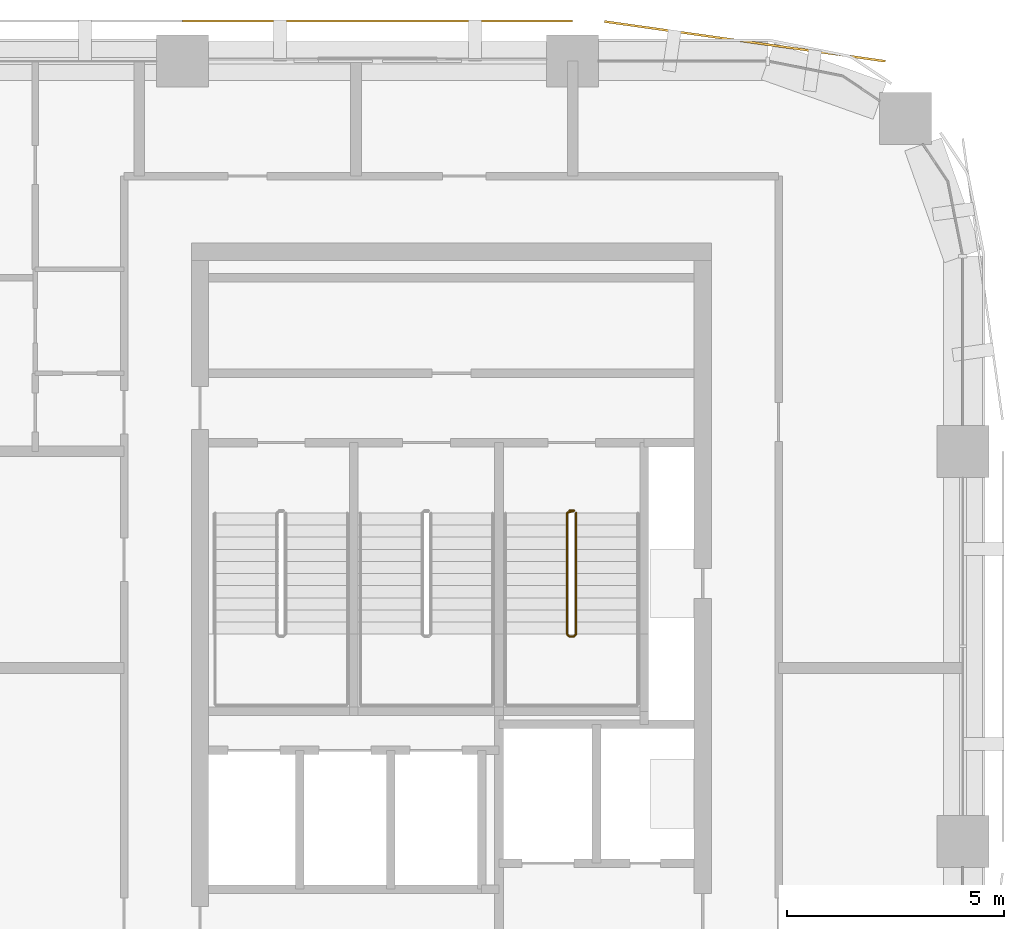
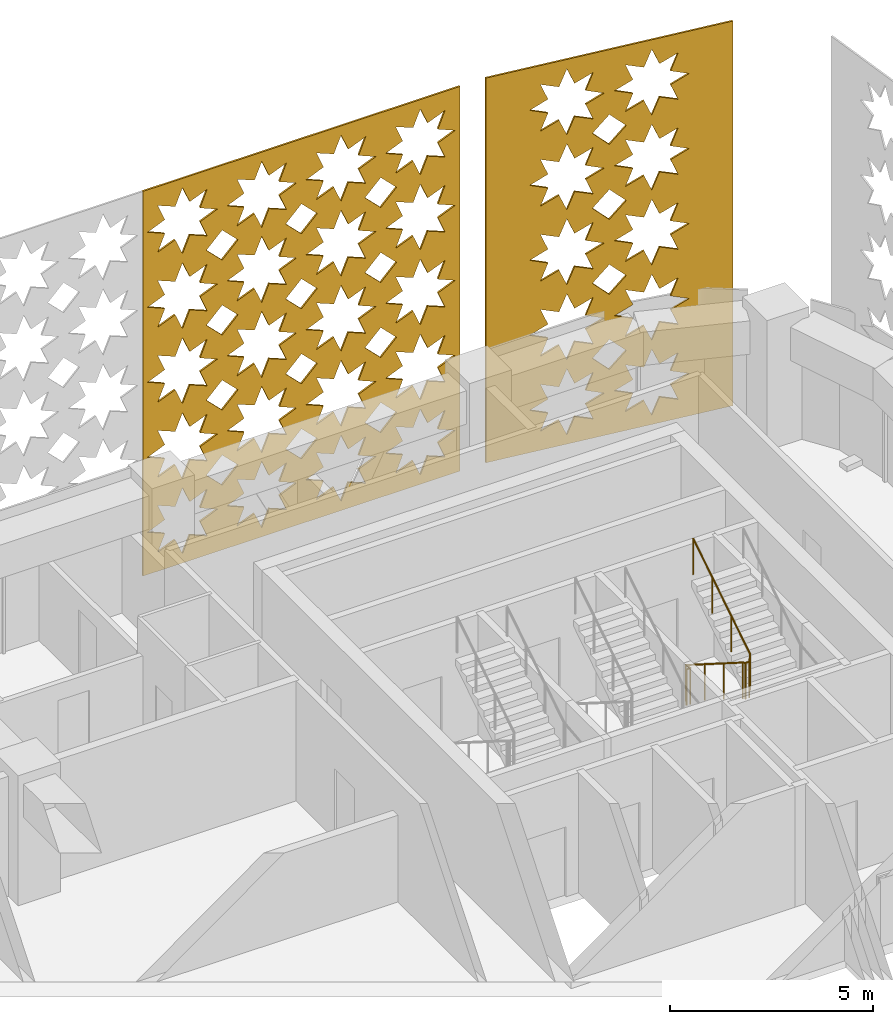
# One storey, part 14 of 15: 2 coverings, 1 railing.
"""IFC4 building model written with IfcOpenShell, lengths in metres."""

from ifc_helpers import new_model, si_unit, direction, frame, origin, origin_2d, place, context, subcontext, project, spatial, polyline, circle, outline, extrude, material, layer, layer_set, type_object, element, save


model = new_model("IFC4")

# Units and contexts
model_context = context("Model", 3, precision=1e-05, world=origin(), true_north=direction((0.0, 1.0)))
body_context = subcontext(model_context, "Body", "Model", "MODEL_VIEW")
ifc_project = project(units=[si_unit("LENGTHUNIT", "METRE"), si_unit("AREAUNIT", "SQUARE_METRE"), si_unit("VOLUMEUNIT", "CUBIC_METRE"), si_unit("PLANEANGLEUNIT", "RADIAN"), si_unit("MASSUNIT", "GRAM", prefix="KILO")], contexts=[model_context])

# Site, building, storey
site_placement = place(None, origin())
site = spatial("IfcSite", under=ifc_project, at=site_placement, CompositionType="ELEMENT")
building_placement = place(site_placement, origin())
building = spatial("IfcBuilding", under=site, at=building_placement, Name="Tessera Arch", CompositionType="ELEMENT")
storey_placement = place(building_placement, frame((0.0, 0.0, 257.89990234375)))
storey = spatial("IfcBuildingStorey", under=building, at=storey_placement, Name="L62", CompositionType="ELEMENT", Elevation=257.89990234375)

# Coverings
ifc_material_1 = material(Name="Anodised aluminium pale metal", Category="aluminium")
ifc_layer_1 = layer(ifc_material_1, 0.050048828125)
ifc_layer_set_1 = layer_set([ifc_layer_1], Name="Pierced screen panel corner bay")
covering_type_1 = type_object("IfcCoveringType", Name="Pierced screen panel corner bay", PredefinedType="CLADDING", material=ifc_layer_set_1)
covering_1_placement = place(storey_placement, frame((52.2080078125, 53.97412109375, 11.7001953125), z_axis=(-0.140074186016, -0.990141011378, 0.0), x_axis=(-0.990141011378, 0.140074186016, 0.0)))
element("IfcCovering", 1, at=covering_1_placement, inside=storey, type_object=covering_type_1, Name="SCREEN pierced panel N54.18/0 L62-L64", PredefinedType="CLADDING", context=body_context, shape_type="SweptSolid", body=[
    extrude(outline(polyline([(0.0, 0.0), (6.546475218445481, 0.0), (6.546475218445481, 11.5400390625), (0.0, 11.5400390625), (0.0, 0.0)]), holes=[polyline([(3.137858409575383, 10.27001953125), (2.6469229422635148, 10.06298828125), (2.8479028079497066, 9.570068359375), (2.354999273675671, 9.77099609375), (2.1478734734576217, 9.280029296875), (1.941990539265672, 9.77099609375), (1.447878336764857, 9.570068359375), (1.6490657382970841, 10.06298828125), (1.15788853733986, 10.27001953125), (1.6490657382970841, 10.47705078125), (1.447878336764857, 10.97021484375), (1.941990539265672, 10.76904296875), (2.1478734734576217, 11.260009765625), (2.354999273675671, 10.76904296875), (2.8479028079497066, 10.97021484375), (2.6469229422635148, 10.47705078125), (3.137858409575383, 10.27001953125)]), polyline([(3.137858409575383, 8.02001953125), (2.6469229422635148, 7.81298828125), (2.8479028079497066, 7.320068359375), (2.354999273675671, 7.52099609375), (2.1478734734576217, 7.030029296875), (1.941990539265672, 7.52099609375), (1.447878336764857, 7.320068359375), (1.6490657382970841, 7.81298828125), (1.15788853733986, 8.02001953125), (1.6490657382970841, 8.22705078125), (1.447878336764857, 8.72021484375), (1.941990539265672, 8.51904296875), (2.1478734734576217, 9.010009765625), (2.354999273675671, 8.51904296875), (2.8479028079497066, 8.72021484375), (2.6469229422635148, 8.22705078125), (3.137858409575383, 8.02001953125)]), polyline([(3.137858409575383, 5.77001953125), (2.6469229422635148, 5.56298828125), (2.8479028079497066, 5.070068359375), (2.354999273675671, 5.27099609375), (2.1478734734576217, 4.780029296875), (1.941990539265672, 5.27099609375), (1.447878336764857, 5.070068359375), (1.6490657382970841, 5.56298828125), (1.15788853733986, 5.77001953125), (1.6490657382970841, 5.97705078125), (1.447878336764857, 6.47021484375), (1.941990539265672, 6.26904296875), (2.1478734734576217, 6.760009765625), (2.354999273675671, 6.26904296875), (2.8479028079497066, 6.47021484375), (2.6469229422635148, 5.97705078125), (3.137858409575383, 5.77001953125)]), polyline([(3.137858409575383, 3.52001953125), (2.6469229422635148, 3.31298828125), (2.8479028079497066, 2.820068359375), (2.354999273675671, 3.02099609375), (2.1478734734576217, 2.530029296875), (1.941990539265672, 3.02099609375), (1.447878336764857, 2.820068359375), (1.6490657382970841, 3.31298828125), (1.15788853733986, 3.52001953125), (1.6490657382970841, 3.72705078125), (1.447878336764857, 4.22021484375), (1.941990539265672, 4.01904296875), (2.1478734734576217, 4.510009765625), (2.354999273675671, 4.01904296875), (2.8479028079497066, 4.22021484375), (2.6469229422635148, 3.72705078125), (3.137858409575383, 3.52001953125)]), polyline([(3.137858409575383, 1.27001953125), (2.6469229422635148, 1.06298828125), (2.8479028079497066, 0.570068359375), (2.354999273675671, 0.77099609375), (2.1478734734576217, 0.280029296875), (1.941990539265672, 0.77099609375), (1.447878336764857, 0.570068359375), (1.6490657382970841, 1.06298828125), (1.15788853733986, 1.27001953125), (1.6490657382970841, 1.47705078125), (1.447878336764857, 1.97021484375), (1.941990539265672, 1.76904296875), (2.1478734734576217, 2.260009765625), (2.354999273675671, 1.76904296875), (2.8479028079497066, 1.97021484375), (2.6469229422635148, 1.47705078125), (3.137858409575383, 1.27001953125)]), polyline([(5.387827282370234, 10.27001953125), (4.896891815058366, 10.06298828125), (5.097871680744557, 9.570068359375), (4.604968146470521, 9.77099609375), (4.397842346252473, 9.280029296875), (4.191959412060523, 9.77099609375), (3.698088943205064, 9.570068359375), (3.899034611091935, 10.06298828125), (3.407857410134711, 10.27001953125), (3.899034611091935, 10.47705078125), (3.698088943205064, 10.97021484375), (4.191959412060523, 10.76904296875), (4.397842346252473, 11.260009765625), (4.604968146470521, 10.76904296875), (5.097871680744557, 10.97021484375), (4.896891815058366, 10.47705078125), (5.387827282370234, 10.27001953125)]), polyline([(5.387827282370234, 8.02001953125), (4.896891815058366, 7.81298828125), (5.097871680744557, 7.320068359375), (4.604968146470521, 7.52099609375), (4.397842346252473, 7.030029296875), (4.191959412060523, 7.52099609375), (3.698088943205064, 7.320068359375), (3.899034611091935, 7.81298828125), (3.407857410134711, 8.02001953125), (3.899034611091935, 8.22705078125), (3.698088943205064, 8.72021484375), (4.191959412060523, 8.51904296875), (4.397842346252473, 9.010009765625), (4.604968146470521, 8.51904296875), (5.097871680744557, 8.72021484375), (4.896891815058366, 8.22705078125), (5.387827282370234, 8.02001953125)]), polyline([(5.387827282370234, 5.77001953125), (4.896891815058366, 5.56298828125), (5.097871680744557, 5.070068359375), (4.604968146470521, 5.27099609375), (4.397842346252473, 4.780029296875), (4.191959412060523, 5.27099609375), (3.698088943205064, 5.070068359375), (3.899034611091935, 5.56298828125), (3.407857410134711, 5.77001953125), (3.899034611091935, 5.97705078125), (3.698088943205064, 6.47021484375), (4.191959412060523, 6.26904296875), (4.397842346252473, 6.760009765625), (4.604968146470521, 6.26904296875), (5.097871680744557, 6.47021484375), (4.896891815058366, 5.97705078125), (5.387827282370234, 5.77001953125)]), polyline([(5.387827282370234, 3.52001953125), (4.896891815058366, 3.31298828125), (5.097871680744557, 2.820068359375), (4.604968146470521, 3.02099609375), (4.397842346252473, 2.530029296875), (4.191959412060523, 3.02099609375), (3.698088943205064, 2.820068359375), (3.899034611091935, 3.31298828125), (3.407857410134711, 3.52001953125), (3.899034611091935, 3.72705078125), (3.698088943205064, 4.22021484375), (4.191959412060523, 4.01904296875), (4.397842346252473, 4.510009765625), (4.604968146470521, 4.01904296875), (5.097871680744557, 4.22021484375), (4.896891815058366, 3.72705078125), (5.387827282370234, 3.52001953125)]), polyline([(5.387827282370234, 1.27001953125), (4.896891815058366, 1.06298828125), (5.097871680744557, 0.570068359375), (4.604968146470521, 0.77099609375), (4.397842346252473, 0.280029296875), (4.191959412060523, 0.77099609375), (3.698088943205064, 0.570068359375), (3.899034611091935, 1.06298828125), (3.407857410134711, 1.27001953125), (3.899034611091935, 1.47705078125), (3.698088943205064, 1.97021484375), (4.191959412060523, 1.76904296875), (4.397842346252473, 2.260009765625), (4.604968146470521, 1.76904296875), (5.097871680744557, 1.97021484375), (4.896891815058366, 1.47705078125), (5.387827282370234, 1.27001953125)]), polyline([(3.7229828105764913, 9.14501953125), (3.2729958755773856, 8.695068359375), (2.8229747427789587, 9.14501953125), (3.2729958755773856, 9.59521484375), (3.7229828105764913, 9.14501953125)]), polyline([(3.7229828105764913, 6.89501953125), (3.2729958755773856, 6.445068359375), (2.8229747427789587, 6.89501953125), (3.2729958755773856, 7.34521484375), (3.7229828105764913, 6.89501953125)]), polyline([(3.7229828105764913, 4.64501953125), (3.2729958755773856, 4.195068359375), (2.8229747427789587, 4.64501953125), (3.2729958755773856, 5.09521484375), (3.7229828105764913, 4.64501953125)]), polyline([(3.7229828105764913, 2.39501953125), (3.2729958755773856, 1.945068359375), (2.8229747427789587, 2.39501953125), (3.2729958755773856, 2.84521484375), (3.7229828105764913, 2.39501953125)])]), origin(), (0.0, 0.0, -1.0), 0.050048828125),
])
ifc_material_2 = material(Name="Anodised aluminium pale metal", Category="aluminium")
ifc_layer_2 = layer(ifc_material_2, 0.050048828125)
ifc_layer_set_2 = layer_set([ifc_layer_2], Name="Pierced screen panel straight bay")
covering_type_2 = type_object("IfcCoveringType", Name="Pierced screen panel straight bay", PredefinedType="CLADDING", material=ifc_layer_set_2)
covering_2_placement = place(storey_placement, frame((45.0, 54.89990234375, 11.7001953125), z_axis=(0.0, -1.0, 0.0), x_axis=(-1.0, 0.0, 0.0)))
element("IfcCovering", 2, at=covering_2_placement, inside=storey, type_object=covering_type_2, Name="SCREEN pierced panel N54.18/1 L62-L64", PredefinedType="CLADDING", context=body_context, shape_type="SweptSolid", body=[
    extrude(outline(polyline([(0.0, 0.0), (9.0, 0.0), (9.0, 11.5400390625), (0.0, 11.5400390625), (0.0, 0.0)]), holes=[polyline([(2.114990234375, 10.27001953125), (1.6240234375, 10.06298828125), (1.824951171875, 9.570068359375), (1.33203125, 9.77099609375), (1.125, 9.280029296875), (0.91796875, 9.77099609375), (0.425048828125, 9.570068359375), (0.6259765625, 10.06298828125), (0.135009765625, 10.27001953125), (0.6259765625, 10.47705078125), (0.425048828125, 10.97021484375), (0.91796875, 10.76904296875), (1.125, 11.260009765625), (1.33203125, 10.76904296875), (1.824951171875, 10.97021484375), (1.6240234375, 10.47705078125), (2.114990234375, 10.27001953125)]), polyline([(2.114990234375, 8.02001953125), (1.6240234375, 7.81298828125), (1.824951171875, 7.320068359375), (1.33203125, 7.52099609375), (1.125, 7.030029296875), (0.91796875, 7.52099609375), (0.425048828125, 7.320068359375), (0.6259765625, 7.81298828125), (0.135009765625, 8.02001953125), (0.6259765625, 8.22705078125), (0.425048828125, 8.72021484375), (0.91796875, 8.51904296875), (1.125, 9.010009765625), (1.33203125, 8.51904296875), (1.824951171875, 8.72021484375), (1.6240234375, 8.22705078125), (2.114990234375, 8.02001953125)]), polyline([(2.114990234375, 5.77001953125), (1.6240234375, 5.56298828125), (1.824951171875, 5.070068359375), (1.33203125, 5.27099609375), (1.125, 4.780029296875), (0.91796875, 5.27099609375), (0.425048828125, 5.070068359375), (0.6259765625, 5.56298828125), (0.135009765625, 5.77001953125), (0.6259765625, 5.97705078125), (0.425048828125, 6.47021484375), (0.91796875, 6.26904296875), (1.125, 6.760009765625), (1.33203125, 6.26904296875), (1.824951171875, 6.47021484375), (1.6240234375, 5.97705078125), (2.114990234375, 5.77001953125)]), polyline([(2.114990234375, 3.52001953125), (1.6240234375, 3.31298828125), (1.824951171875, 2.820068359375), (1.33203125, 3.02099609375), (1.125, 2.530029296875), (0.91796875, 3.02099609375), (0.425048828125, 2.820068359375), (0.6259765625, 3.31298828125), (0.135009765625, 3.52001953125), (0.6259765625, 3.72705078125), (0.425048828125, 4.22021484375), (0.91796875, 4.01904296875), (1.125, 4.510009765625), (1.33203125, 4.01904296875), (1.824951171875, 4.22021484375), (1.6240234375, 3.72705078125), (2.114990234375, 3.52001953125)]), polyline([(2.114990234375, 1.27001953125), (1.6240234375, 1.06298828125), (1.824951171875, 0.570068359375), (1.33203125, 0.77099609375), (1.125, 0.280029296875), (0.91796875, 0.77099609375), (0.425048828125, 0.570068359375), (0.6259765625, 1.06298828125), (0.135009765625, 1.27001953125), (0.6259765625, 1.47705078125), (0.425048828125, 1.97021484375), (0.91796875, 1.76904296875), (1.125, 2.260009765625), (1.33203125, 1.76904296875), (1.824951171875, 1.97021484375), (1.6240234375, 1.47705078125), (2.114990234375, 1.27001953125)]), polyline([(4.364990234375, 10.27001953125), (3.8740234375, 10.06298828125), (4.074951171875, 9.570068359375), (3.58203125, 9.77099609375), (3.375, 9.280029296875), (3.16796875, 9.77099609375), (2.675048828125, 9.570068359375), (2.8759765625, 10.06298828125), (2.385009765625, 10.27001953125), (2.8759765625, 10.47705078125), (2.675048828125, 10.97021484375), (3.16796875, 10.76904296875), (3.375, 11.260009765625), (3.58203125, 10.76904296875), (4.074951171875, 10.97021484375), (3.8740234375, 10.47705078125), (4.364990234375, 10.27001953125)]), polyline([(4.364990234375, 8.02001953125), (3.8740234375, 7.81298828125), (4.074951171875, 7.320068359375), (3.58203125, 7.52099609375), (3.375, 7.030029296875), (3.16796875, 7.52099609375), (2.675048828125, 7.320068359375), (2.8759765625, 7.81298828125), (2.385009765625, 8.02001953125), (2.8759765625, 8.22705078125), (2.675048828125, 8.72021484375), (3.16796875, 8.51904296875), (3.375, 9.010009765625), (3.58203125, 8.51904296875), (4.074951171875, 8.72021484375), (3.8740234375, 8.22705078125), (4.364990234375, 8.02001953125)]), polyline([(4.364990234375, 5.77001953125), (3.8740234375, 5.56298828125), (4.074951171875, 5.070068359375), (3.58203125, 5.27099609375), (3.375, 4.780029296875), (3.16796875, 5.27099609375), (2.675048828125, 5.070068359375), (2.8759765625, 5.56298828125), (2.385009765625, 5.77001953125), (2.8759765625, 5.97705078125), (2.675048828125, 6.47021484375), (3.16796875, 6.26904296875), (3.375, 6.760009765625), (3.58203125, 6.26904296875), (4.074951171875, 6.47021484375), (3.8740234375, 5.97705078125), (4.364990234375, 5.77001953125)]), polyline([(4.364990234375, 3.52001953125), (3.8740234375, 3.31298828125), (4.074951171875, 2.820068359375), (3.58203125, 3.02099609375), (3.375, 2.530029296875), (3.16796875, 3.02099609375), (2.675048828125, 2.820068359375), (2.8759765625, 3.31298828125), (2.385009765625, 3.52001953125), (2.8759765625, 3.72705078125), (2.675048828125, 4.22021484375), (3.16796875, 4.01904296875), (3.375, 4.510009765625), (3.58203125, 4.01904296875), (4.074951171875, 4.22021484375), (3.8740234375, 3.72705078125), (4.364990234375, 3.52001953125)]), polyline([(4.364990234375, 1.27001953125), (3.8740234375, 1.06298828125), (4.074951171875, 0.570068359375), (3.58203125, 0.77099609375), (3.375, 0.280029296875), (3.16796875, 0.77099609375), (2.675048828125, 0.570068359375), (2.8759765625, 1.06298828125), (2.385009765625, 1.27001953125), (2.8759765625, 1.47705078125), (2.675048828125, 1.97021484375), (3.16796875, 1.76904296875), (3.375, 2.260009765625), (3.58203125, 1.76904296875), (4.074951171875, 1.97021484375), (3.8740234375, 1.47705078125), (4.364990234375, 1.27001953125)]), polyline([(6.614990234375, 10.27001953125), (6.1240234375, 10.06298828125), (6.324951171875, 9.570068359375), (5.83203125, 9.77099609375), (5.625, 9.280029296875), (5.41796875, 9.77099609375), (4.925048828125, 9.570068359375), (5.1259765625, 10.06298828125), (4.635009765625, 10.27001953125), (5.1259765625, 10.47705078125), (4.925048828125, 10.97021484375), (5.41796875, 10.76904296875), (5.625, 11.260009765625), (5.83203125, 10.76904296875), (6.324951171875, 10.97021484375), (6.1240234375, 10.47705078125), (6.614990234375, 10.27001953125)]), polyline([(6.614990234375, 8.02001953125), (6.1240234375, 7.81298828125), (6.324951171875, 7.320068359375), (5.83203125, 7.52099609375), (5.625, 7.030029296875), (5.41796875, 7.52099609375), (4.925048828125, 7.320068359375), (5.1259765625, 7.81298828125), (4.635009765625, 8.02001953125), (5.1259765625, 8.22705078125), (4.925048828125, 8.72021484375), (5.41796875, 8.51904296875), (5.625, 9.010009765625), (5.83203125, 8.51904296875), (6.324951171875, 8.72021484375), (6.1240234375, 8.22705078125), (6.614990234375, 8.02001953125)]), polyline([(6.614990234375, 5.77001953125), (6.1240234375, 5.56298828125), (6.324951171875, 5.070068359375), (5.83203125, 5.27099609375), (5.625, 4.780029296875), (5.41796875, 5.27099609375), (4.925048828125, 5.070068359375), (5.1259765625, 5.56298828125), (4.635009765625, 5.77001953125), (5.1259765625, 5.97705078125), (4.925048828125, 6.47021484375), (5.41796875, 6.26904296875), (5.625, 6.760009765625), (5.83203125, 6.26904296875), (6.324951171875, 6.47021484375), (6.1240234375, 5.97705078125), (6.614990234375, 5.77001953125)]), polyline([(6.614990234375, 3.52001953125), (6.1240234375, 3.31298828125), (6.324951171875, 2.820068359375), (5.83203125, 3.02099609375), (5.625, 2.530029296875), (5.41796875, 3.02099609375), (4.925048828125, 2.820068359375), (5.1259765625, 3.31298828125), (4.635009765625, 3.52001953125), (5.1259765625, 3.72705078125), (4.925048828125, 4.22021484375), (5.41796875, 4.01904296875), (5.625, 4.510009765625), (5.83203125, 4.01904296875), (6.324951171875, 4.22021484375), (6.1240234375, 3.72705078125), (6.614990234375, 3.52001953125)]), polyline([(6.614990234375, 1.27001953125), (6.1240234375, 1.06298828125), (6.324951171875, 0.570068359375), (5.83203125, 0.77099609375), (5.625, 0.280029296875), (5.41796875, 0.77099609375), (4.925048828125, 0.570068359375), (5.1259765625, 1.06298828125), (4.635009765625, 1.27001953125), (5.1259765625, 1.47705078125), (4.925048828125, 1.97021484375), (5.41796875, 1.76904296875), (5.625, 2.260009765625), (5.83203125, 1.76904296875), (6.324951171875, 1.97021484375), (6.1240234375, 1.47705078125), (6.614990234375, 1.27001953125)]), polyline([(8.864990234375, 10.27001953125), (8.3740234375, 10.06298828125), (8.574951171875, 9.570068359375), (8.08203125, 9.77099609375), (7.875, 9.280029296875), (7.66796875, 9.77099609375), (7.175048828125, 9.570068359375), (7.3759765625, 10.06298828125), (6.885009765625, 10.27001953125), (7.3759765625, 10.47705078125), (7.175048828125, 10.97021484375), (7.66796875, 10.76904296875), (7.875, 11.260009765625), (8.08203125, 10.76904296875), (8.574951171875, 10.97021484375), (8.3740234375, 10.47705078125), (8.864990234375, 10.27001953125)]), polyline([(8.864990234375, 8.02001953125), (8.3740234375, 7.81298828125), (8.574951171875, 7.320068359375), (8.08203125, 7.52099609375), (7.875, 7.030029296875), (7.66796875, 7.52099609375), (7.175048828125, 7.320068359375), (7.3759765625, 7.81298828125), (6.885009765625, 8.02001953125), (7.3759765625, 8.22705078125), (7.175048828125, 8.72021484375), (7.66796875, 8.51904296875), (7.875, 9.010009765625), (8.08203125, 8.51904296875), (8.574951171875, 8.72021484375), (8.3740234375, 8.22705078125), (8.864990234375, 8.02001953125)]), polyline([(8.864990234375, 5.77001953125), (8.3740234375, 5.56298828125), (8.574951171875, 5.070068359375), (8.08203125, 5.27099609375), (7.875, 4.780029296875), (7.66796875, 5.27099609375), (7.175048828125, 5.070068359375), (7.3759765625, 5.56298828125), (6.885009765625, 5.77001953125), (7.3759765625, 5.97705078125), (7.175048828125, 6.47021484375), (7.66796875, 6.26904296875), (7.875, 6.760009765625), (8.08203125, 6.26904296875), (8.574951171875, 6.47021484375), (8.3740234375, 5.97705078125), (8.864990234375, 5.77001953125)]), polyline([(8.864990234375, 3.52001953125), (8.3740234375, 3.31298828125), (8.574951171875, 2.820068359375), (8.08203125, 3.02099609375), (7.875, 2.530029296875), (7.66796875, 3.02099609375), (7.175048828125, 2.820068359375), (7.3759765625, 3.31298828125), (6.885009765625, 3.52001953125), (7.3759765625, 3.72705078125), (7.175048828125, 4.22021484375), (7.66796875, 4.01904296875), (7.875, 4.510009765625), (8.08203125, 4.01904296875), (8.574951171875, 4.22021484375), (8.3740234375, 3.72705078125), (8.864990234375, 3.52001953125)]), polyline([(8.864990234375, 1.27001953125), (8.3740234375, 1.06298828125), (8.574951171875, 0.570068359375), (8.08203125, 0.77099609375), (7.875, 0.280029296875), (7.66796875, 0.77099609375), (7.175048828125, 0.570068359375), (7.3759765625, 1.06298828125), (6.885009765625, 1.27001953125), (7.3759765625, 1.47705078125), (7.175048828125, 1.97021484375), (7.66796875, 1.76904296875), (7.875, 2.260009765625), (8.08203125, 1.76904296875), (8.574951171875, 1.97021484375), (8.3740234375, 1.47705078125), (8.864990234375, 1.27001953125)]), polyline([(2.699951171875, 9.14501953125), (2.25, 8.695068359375), (1.800048828125, 9.14501953125), (2.25, 9.59521484375), (2.699951171875, 9.14501953125)]), polyline([(2.699951171875, 6.89501953125), (2.25, 6.445068359375), (1.800048828125, 6.89501953125), (2.25, 7.34521484375), (2.699951171875, 6.89501953125)]), polyline([(2.699951171875, 4.64501953125), (2.25, 4.195068359375), (1.800048828125, 4.64501953125), (2.25, 5.09521484375), (2.699951171875, 4.64501953125)]), polyline([(2.699951171875, 2.39501953125), (2.25, 1.945068359375), (1.800048828125, 2.39501953125), (2.25, 2.84521484375), (2.699951171875, 2.39501953125)]), polyline([(4.949951171875, 9.14501953125), (4.5, 8.695068359375), (4.050048828125, 9.14501953125), (4.5, 9.59521484375), (4.949951171875, 9.14501953125)]), polyline([(4.949951171875, 6.89501953125), (4.5, 6.445068359375), (4.050048828125, 6.89501953125), (4.5, 7.34521484375), (4.949951171875, 6.89501953125)]), polyline([(4.949951171875, 4.64501953125), (4.5, 4.195068359375), (4.050048828125, 4.64501953125), (4.5, 5.09521484375), (4.949951171875, 4.64501953125)]), polyline([(4.949951171875, 2.39501953125), (4.5, 1.945068359375), (4.050048828125, 2.39501953125), (4.5, 2.84521484375), (4.949951171875, 2.39501953125)]), polyline([(7.199951171875, 9.14501953125), (6.75, 8.695068359375), (6.300048828125, 9.14501953125), (6.75, 9.59521484375), (7.199951171875, 9.14501953125)]), polyline([(7.199951171875, 6.89501953125), (6.75, 6.445068359375), (6.300048828125, 6.89501953125), (6.75, 7.34521484375), (7.199951171875, 6.89501953125)]), polyline([(7.199951171875, 4.64501953125), (6.75, 4.195068359375), (6.300048828125, 4.64501953125), (6.75, 5.09521484375), (7.199951171875, 4.64501953125)]), polyline([(7.199951171875, 2.39501953125), (6.75, 1.945068359375), (6.300048828125, 2.39501953125), (6.75, 2.84521484375), (7.199951171875, 2.39501953125)])]), origin(), (0.0, 0.0, -1.0), 0.050048828125),
])

# Railing
ifc_material_3 = material(Name="Painted steel balustrade", Category="steel")
railing_type = type_object("IfcRailingType", Name="Stair guard 1100", PredefinedType="GUARDRAIL", material=ifc_material_3)
railing_placement = place(storey_placement, frame((44.919921875, 43.6298828125, 0.0)))
element("IfcRailing", 3, at=railing_placement, inside=storey, type_object=railing_type, Name="L62 S1c stair guard 1", PredefinedType="GUARDRAIL", context=body_context, shape_type="SweptSolid", body=[
    extrude(circle(Radius=0.02392578125, at=origin_2d()), frame((-0.00390625, 0.0, 1.076171875), z_axis=(1.0, 0.0, 0.0), x_axis=(0.0, 1.0, 0.0)), (0.0, 0.0, 1.0), 0.1181640625),
    extrude(circle(Radius=0.02392578125, at=origin_2d()), frame((0.11279296875, 0.000732421875, 1.0732421875), z_axis=(-0.655271994328, -0.204084712737, 0.727301892941), x_axis=(0.297361876254, -0.954764847777, 0.0)), (0.0, 0.0, 1.0), 0.251953125),
    extrude(circle(Radius=0.02392578125, at=origin_2d()), frame((-0.0498046875, -0.04638671875, 1.25146484375), z_axis=(0.0, -0.844908973607, 0.534910110503), x_axis=(1.0, 0.0, 0.0)), (0.0, 0.0, 1.0), 3.322021484375),
    extrude(circle(Radius=0.02392578125, at=origin_2d()), frame((-0.052734375, -2.846923828125, 3.0263671875), z_axis=(0.705375805398, -0.708833529934, 0.0), x_axis=(0.708833529934, 0.705375805398, 0.0)), (0.0, 0.0, 1.0), 0.07861328125),
    extrude(circle(Radius=0.02392578125, at=origin_2d()), frame((-0.00390625, -2.89990234375, 3.0263671875), z_axis=(1.0, 0.0, 0.0), x_axis=(0.0, 1.0, 0.0)), (0.0, 0.0, 1.0), 0.1181640625),
    extrude(circle(Radius=0.02392578125, at=origin_2d()), frame((0.109130859375, -2.90087890625, 3.0224609375), z_axis=(0.262233686654, 0.262233686654, 0.928691007369), x_axis=(-0.707106781187, 0.707106781187, 0.0)), (0.0, 0.0, 1.0), 0.198974609375),
    extrude(circle(Radius=0.02392578125, at=origin_2d()), frame((0.16015625, -2.853271484375, 3.201416015625), z_axis=(0.0, 0.844908973607, 0.534910110503), x_axis=(-1.0, 0.0, 0.0)), (0.0, 0.0, 1.0), 3.322021484375),
    extrude(circle(Radius=0.02099609375, at=origin_2d()), origin(), (0.0, 0.0, 1.0), 1.06396484375),
    extrude(circle(Radius=0.02099609375, at=origin_2d()), frame((0.110107421875, 0.0, 0.0)), (0.0, 0.0, 1.0), 1.06396484375),
    extrude(circle(Radius=0.02099609375, at=origin_2d()), frame((-0.0498046875, -0.0498046875, 0.177490234375)), (0.0, 0.0, 1.0), 1.06396484375),
    extrude(circle(Radius=0.02099609375, at=origin_2d()), frame((-0.0498046875, -0.983154296875, 0.768310546875)), (0.0, 0.0, 1.0), 1.06396484375),
    extrude(circle(Radius=0.02099609375, at=origin_2d()), frame((-0.0498046875, -1.91650390625, 1.359375)), (0.0, 0.0, 1.0), 1.06396484375),
    extrude(circle(Radius=0.02099609375, at=origin_2d()), frame((-0.0498046875, -2.849853515625, 1.9501953125)), (0.0, 0.0, 1.0), 1.06396484375),
    extrude(circle(Radius=0.02099609375, at=origin_2d()), frame((0.0, -2.89990234375, 1.9501953125)), (0.0, 0.0, 1.0), 1.06396484375),
    extrude(circle(Radius=0.02099609375, at=origin_2d()), frame((0.110107421875, -2.89990234375, 1.9501953125)), (0.0, 0.0, 1.0), 1.06396484375),
    extrude(circle(Radius=0.02099609375, at=origin_2d()), frame((0.16015625, -2.849853515625, 2.12744140625)), (0.0, 0.0, 1.0), 1.06396484375),
    extrude(circle(Radius=0.02099609375, at=origin_2d()), frame((0.16015625, -1.91650390625, 2.71826171875)), (0.0, 0.0, 1.0), 1.06396484375),
    extrude(circle(Radius=0.02099609375, at=origin_2d()), frame((0.16015625, -0.983154296875, 3.309326171875)), (0.0, 0.0, 1.0), 1.06396484375),
    extrude(circle(Radius=0.02099609375, at=origin_2d()), frame((0.16015625, -0.0498046875, 3.900146484375)), (0.0, 0.0, 1.0), 1.06396484375),
])

save(model, "model.ifc")
